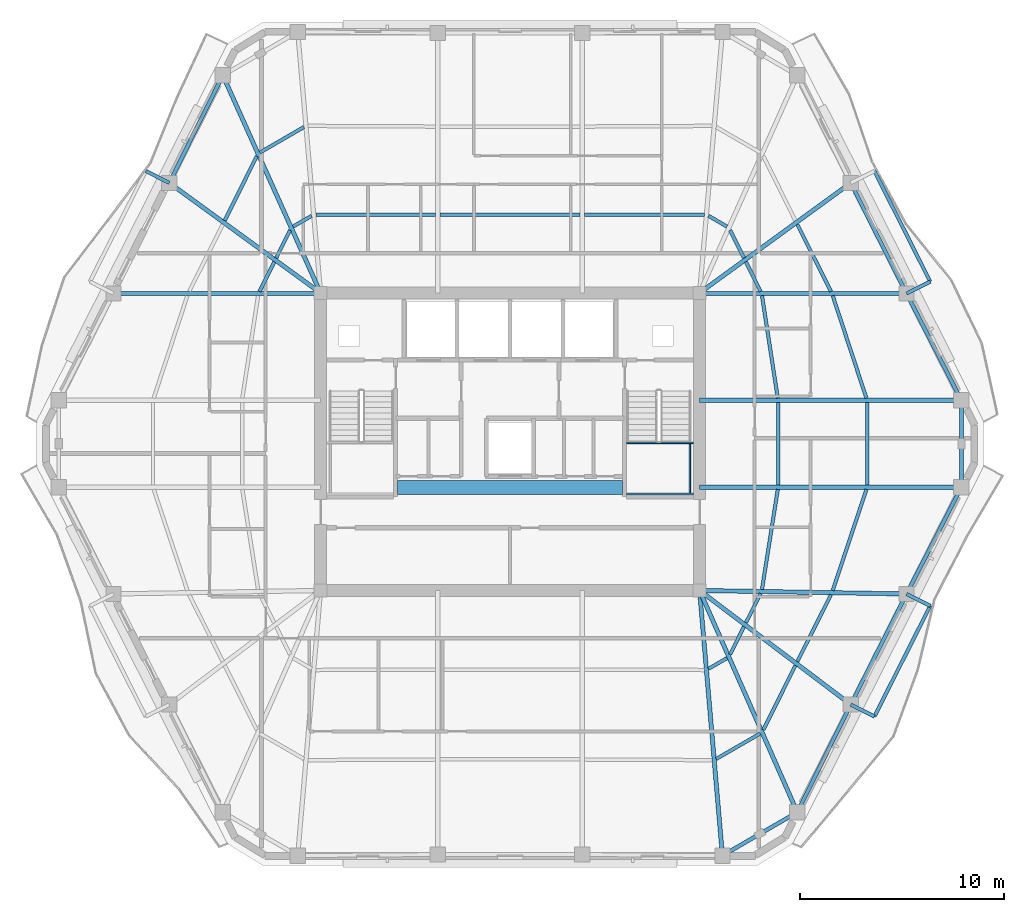
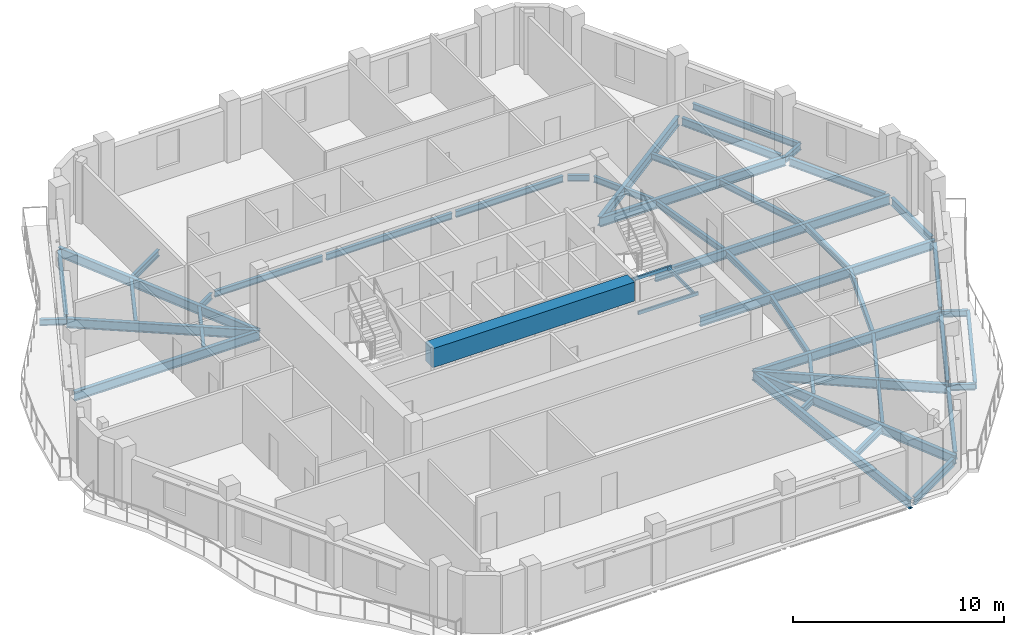
# One storey, part 2 of 11: 53 beams.
"""IFC4 building model written with IfcOpenShell, lengths in metres."""

from ifc_helpers import new_model, si_unit, direction, frame, origin, origin_2d, place, context, subcontext, project, spatial, rectangle, hollow_rectangle, i_section, extrude, material, material_profile, profile_set, type_object, element, save


model = new_model("IFC4")

# Units and contexts
model_context = context("Model", 3, precision=1e-05, world=origin(), true_north=direction((0.0, 1.0)))
body_context = subcontext(model_context, "Body", "Model", "MODEL_VIEW")
ifc_project = project(units=[si_unit("LENGTHUNIT", "METRE"), si_unit("AREAUNIT", "SQUARE_METRE"), si_unit("VOLUMEUNIT", "CUBIC_METRE"), si_unit("PLANEANGLEUNIT", "RADIAN"), si_unit("MASSUNIT", "GRAM", prefix="KILO")], contexts=[model_context])

# Site, building, storey
site_placement = place(None, origin())
site = spatial("IfcSite", under=ifc_project, at=site_placement, CompositionType="ELEMENT")
building_placement = place(site_placement, origin())
building = spatial("IfcBuilding", under=site, at=building_placement, Name="Cinnabar Lancet Tower", CompositionType="ELEMENT")
storey_placement = place(building_placement, frame((0.0, 0.0, 214.5)))
storey = spatial("IfcBuildingStorey", under=building, at=storey_placement, Name="L57", CompositionType="ELEMENT", Elevation=214.5)

# Beams
ifc_material_1 = material(Name="Concrete C70/85", Category="concrete")
ifc_material_profile_1 = material_profile(ifc_material_1, rectangle(XDim=0.699951171875, YDim=1.10009765625, at=origin_2d()), Name="RC-CB 700x1100")
ifc_profile_set_1 = profile_set([ifc_material_profile_1], Name="Concrete C70/85")
beam_type_1 = type_object("IfcBeamType", Name="STR-BM-CB-1100", PredefinedType="BEAM", material=ifc_profile_set_1)
beam_1_placement = place(storey_placement, frame((26.8798828125, 23.64990234375, 2.800048828125), z_axis=(1.0, 0.0, 0.0), x_axis=(0.0, 1.0, 0.0)))
element("IfcBeam", 1, at=beam_1_placement, inside=storey, type_object=beam_type_1, Name="L57 Core Coupling Beam", PredefinedType="BEAM", context=body_context, shape_type="SweptSolid", body=[
    extrude(rectangle(XDim=0.699951171875, YDim=1.10009765625, at=origin_2d()), origin(), (0.0, 0.0, 1.0), 11.0400390625),
])
ifc_material_2 = material(Name="Structural steel S355", Category="steel")
ifc_material_profile_2 = material_profile(ifc_material_2, i_section(OverallWidth=0.17138671875, OverallDepth=0.35498046875, WebThickness=0.00732421875, FlangeThickness=0.011474609375, FilletRadius=0.01025390625, at=origin_2d()), Name="UKB 356x171x51")
ifc_profile_set_2 = profile_set([ifc_material_profile_2], Name="Structural steel S355")
beam_type_2 = type_object("IfcBeamType", Name="STR-BM-JST-356", PredefinedType="JOIST", material=ifc_profile_set_2)
beam_2_placement = place(storey_placement, frame((42.51708984375, 10.3310546875, -0.376953125), z_axis=(0.865267839663, 0.501309849937, 0.0), x_axis=(-0.501309849937, 0.865267839663, 0.0)))
element("IfcBeam", 2, at=beam_2_placement, inside=storey, type_object=beam_type_2, Name="L57 Secondary Floor Joist 15", PredefinedType="JOIST", context=body_context, shape_type="SweptSolid", body=[
    extrude(i_section(OverallWidth=0.17138671875, OverallDepth=0.35498046875, WebThickness=0.00732421875, FlangeThickness=0.011474609375, FilletRadius=0.01025390625, at=origin_2d()), origin(), (0.0, 0.0, 1.0), 2.497314453125),
])
beam_3_placement = place(storey_placement, frame((42.135986328125, 14.7548828125, -0.376953125), z_axis=(0.8651881055, 0.501447446998, 0.0), x_axis=(-0.501447446998, 0.8651881055, 0.0)))
element("IfcBeam", 3, at=beam_3_placement, inside=storey, type_object=beam_type_2, Name="L57 Secondary Floor Joist 16", PredefinedType="JOIST", context=body_context, shape_type="SweptSolid", body=[
    extrude(i_section(OverallWidth=0.17138671875, OverallDepth=0.35498046875, WebThickness=0.00732421875, FlangeThickness=0.011474609375, FilletRadius=0.01025390625, at=origin_2d()), origin(), (0.0, 0.0, 1.0), 1.05322265625),
])
beam_4_placement = place(storey_placement, frame((44.8291015625, 11.758056640625, -0.376953125), z_axis=(0.445027906173, 0.895516701534, 0.0), x_axis=(-0.895516701534, 0.445027906173, 0.0)))
element("IfcBeam", 4, at=beam_4_placement, inside=storey, type_object=beam_type_2, Name="L57 Secondary Floor Joist 17", PredefinedType="JOIST", context=body_context, shape_type="SweptSolid", body=[
    extrude(i_section(OverallWidth=0.17138671875, OverallDepth=0.35498046875, WebThickness=0.00732421875, FlangeThickness=0.011474609375, FilletRadius=0.01025390625, at=origin_2d()), origin(), (0.0, 0.0, 1.0), 3.531982421875),
])
beam_5_placement = place(storey_placement, frame((43.198974609375, 15.45703125, -0.376953125), z_axis=(0.444589856968, 0.895734256954, 0.0), x_axis=(-0.895734256954, 0.444589856968, 0.0)))
element("IfcBeam", 5, at=beam_5_placement, inside=storey, type_object=beam_type_2, Name="L57 Secondary Floor Joist 18", PredefinedType="JOIST", context=body_context, shape_type="SweptSolid", body=[
    extrude(i_section(OverallWidth=0.17138671875, OverallDepth=0.35498046875, WebThickness=0.00732421875, FlangeThickness=0.011474609375, FilletRadius=0.01025390625, at=origin_2d()), origin(), (0.0, 0.0, 1.0), 1.527099609375),
])
beam_6_placement = place(storey_placement, frame((46.49609375, 15.112060546875, -0.376953125), z_axis=(0.450564728728, 0.892743762357, 0.0), x_axis=(-0.892743762357, 0.450564728728, 0.0)))
element("IfcBeam", 6, at=beam_6_placement, inside=storey, type_object=beam_type_2, Name="L57 Secondary Floor Joist 19", PredefinedType="JOIST", context=body_context, shape_type="SweptSolid", body=[
    extrude(i_section(OverallWidth=0.17138671875, OverallDepth=0.35498046875, WebThickness=0.00732421875, FlangeThickness=0.011474609375, FilletRadius=0.01025390625, at=origin_2d()), origin(), (0.0, 0.0, 1.0), 3.66845703125),
])
beam_7_placement = place(storey_placement, frame((43.97412109375, 17.014892578125, -0.376953125), z_axis=(0.450137936259, 0.892959035085, 0.0), x_axis=(-0.892959035085, 0.450137936259, 0.0)))
element("IfcBeam", 7, at=beam_7_placement, inside=storey, type_object=beam_type_2, Name="L57 Secondary Floor Joist 20", PredefinedType="JOIST", context=body_context, shape_type="SweptSolid", body=[
    extrude(i_section(OverallWidth=0.17138671875, OverallDepth=0.35498046875, WebThickness=0.00732421875, FlangeThickness=0.011474609375, FilletRadius=0.01025390625, at=origin_2d()), origin(), (0.0, 0.0, 1.0), 1.6015625),
])
beam_8_placement = place(storey_placement, frame((48.236083984375, 18.594970703125, -0.376953125), z_axis=(0.315346227037, 0.948976689436, 0.0), x_axis=(-0.948976689436, 0.315346227037, 0.0)))
element("IfcBeam", 8, at=beam_8_placement, inside=storey, type_object=beam_type_2, Name="L57 Secondary Floor Joist 21", PredefinedType="JOIST", context=body_context, shape_type="SweptSolid", body=[
    extrude(i_section(OverallWidth=0.17138671875, OverallDepth=0.35498046875, WebThickness=0.00732421875, FlangeThickness=0.011474609375, FilletRadius=0.01025390625, at=origin_2d()), origin(), (0.0, 0.0, 1.0), 5.235107421875),
])
beam_9_placement = place(storey_placement, frame((44.763916015625, 18.653076171875, -0.376953125), z_axis=(0.155750702097, 0.987796395416, 0.0), x_axis=(-0.987796395416, 0.155750702097, 0.0)))
element("IfcBeam", 9, at=beam_9_placement, inside=storey, type_object=beam_type_2, Name="L57 Secondary Floor Joist 22", PredefinedType="JOIST", context=body_context, shape_type="SweptSolid", body=[
    extrude(i_section(OverallWidth=0.17138671875, OverallDepth=0.35498046875, WebThickness=0.00732421875, FlangeThickness=0.011474609375, FilletRadius=0.01025390625, at=origin_2d()), origin(), (0.0, 0.0, 1.0), 4.970458984375),
])
for number, where, z_axis, x_axis, name in (
    (10, (49.922119140625, 23.77294921875, -0.376953125), (0.0, 1.0, 0.0), (-1.0, 0.0, 0.0), "L57 Secondary Floor Joist 23"),
    (11, (45.553955078125, 23.77294921875, -0.376953125), (0.0, 1.0, 0.0), (-1.0, 0.0, 0.0), "L57 Secondary Floor Joist 24"),
):
    element("IfcBeam", number, at=place(storey_placement, frame(where, z_axis=z_axis, x_axis=x_axis)), inside=storey, type_object=beam_type_2, Name=name, PredefinedType="JOIST", context=body_context, shape_type="SweptSolid", body=[
        extrude(i_section(OverallWidth=0.17138671875, OverallDepth=0.35498046875, WebThickness=0.00732421875, FlangeThickness=0.011474609375, FilletRadius=0.01025390625, at=origin_2d()), origin(), (0.0, 0.0, 1.0), 4.053955078125),
    ])
beam_10_placement = place(storey_placement, frame((49.887939453125, 28.037109375, -0.376953125), z_axis=(-0.312240109925, 0.95000321776, 0.0), x_axis=(-0.95000321776, -0.312240109925, 0.0)))
element("IfcBeam", 12, at=beam_10_placement, inside=storey, type_object=beam_type_2, Name="L57 Secondary Floor Joist 25", PredefinedType="JOIST", context=body_context, shape_type="SweptSolid", body=[
    extrude(i_section(OverallWidth=0.17138671875, OverallDepth=0.35498046875, WebThickness=0.00732421875, FlangeThickness=0.011474609375, FilletRadius=0.01025390625, at=origin_2d()), origin(), (0.0, 0.0, 1.0), 5.29345703125),
])
beam_11_placement = place(storey_placement, frame((45.5380859375, 28.037109375, -0.376953125), z_axis=(-0.152154536592, 0.98835671546, 0.0), x_axis=(-0.98835671546, -0.152154536592, 0.0)))
element("IfcBeam", 13, at=beam_11_placement, inside=storey, type_object=beam_type_2, Name="L57 Secondary Floor Joist 26", PredefinedType="JOIST", context=body_context, shape_type="SweptSolid", body=[
    extrude(i_section(OverallWidth=0.17138671875, OverallDepth=0.35498046875, WebThickness=0.00732421875, FlangeThickness=0.011474609375, FilletRadius=0.01025390625, at=origin_2d()), origin(), (0.0, 0.0, 1.0), 5.088134765625),
])
beam_12_placement = place(storey_placement, frame((48.14794921875, 33.27587890625, -0.376953125), z_axis=(-0.449230875134, 0.893415704376, 0.0), x_axis=(-0.893415704376, -0.449230875134, 0.0)))
element("IfcBeam", 14, at=beam_12_placement, inside=storey, type_object=beam_type_2, Name="L57 Secondary Floor Joist 27", PredefinedType="JOIST", context=body_context, shape_type="SweptSolid", body=[
    extrude(i_section(OverallWidth=0.17138671875, OverallDepth=0.35498046875, WebThickness=0.00732421875, FlangeThickness=0.011474609375, FilletRadius=0.01025390625, at=origin_2d()), origin(), (0.0, 0.0, 1.0), 3.677001953125),
])
beam_13_placement = place(storey_placement, frame((44.695068359375, 33.27587890625, -0.376953125), z_axis=(-0.446006949597, 0.89502949723, 0.0), x_axis=(-0.89502949723, -0.446006949597, 0.0)))
element("IfcBeam", 15, at=beam_13_placement, inside=storey, type_object=beam_type_2, Name="L57 Secondary Floor Joist 28", PredefinedType="JOIST", context=body_context, shape_type="SweptSolid", body=[
    extrude(i_section(OverallWidth=0.17138671875, OverallDepth=0.35498046875, WebThickness=0.00732421875, FlangeThickness=0.011474609375, FilletRadius=0.01025390625, at=origin_2d()), origin(), (0.0, 0.0, 1.0), 1.619140625),
])
beam_14_placement = place(storey_placement, frame((43.8779296875, 34.9150390625, -0.376953125), z_axis=(-0.444589856968, 0.895734256954, 0.0), x_axis=(-0.895734256954, -0.444589856968, 0.0)))
element("IfcBeam", 16, at=beam_14_placement, inside=storey, type_object=beam_type_2, Name="L57 Secondary Floor Joist 30", PredefinedType="JOIST", context=body_context, shape_type="SweptSolid", body=[
    extrude(i_section(OverallWidth=0.17138671875, OverallDepth=0.35498046875, WebThickness=0.00732421875, FlangeThickness=0.011474609375, FilletRadius=0.01025390625, at=origin_2d()), origin(), (0.0, 0.0, 1.0), 1.527099609375),
])
beam_15_placement = place(storey_placement, frame((43.047119140625, 36.45703125, -0.376953125), z_axis=(-0.8651881055, 0.501447446998, 0.0), x_axis=(-0.501447446998, -0.8651881055, 0.0)))
element("IfcBeam", 17, at=beam_15_placement, inside=storey, type_object=beam_type_2, Name="L57 Secondary Floor Joist 32", PredefinedType="JOIST", context=body_context, shape_type="SweptSolid", body=[
    extrude(i_section(OverallWidth=0.17138671875, OverallDepth=0.35498046875, WebThickness=0.00732421875, FlangeThickness=0.011474609375, FilletRadius=0.01025390625, at=origin_2d()), origin(), (0.0, 0.0, 1.0), 1.05322265625),
])
beam_16_placement = place(storey_placement, frame((41.930908203125, 37.04296875, -0.376953125), z_axis=(-0.999996795667, -0.002531532393, 0.0), x_axis=(0.002531532393, -0.999996795667, 0.0)))
element("IfcBeam", 18, at=beam_16_placement, inside=storey, type_object=beam_type_2, Name="L57 Secondary Floor Joist 34", PredefinedType="JOIST", context=body_context, shape_type="SweptSolid", body=[
    extrude(i_section(OverallWidth=0.17138671875, OverallDepth=0.35498046875, WebThickness=0.00732421875, FlangeThickness=0.011474609375, FilletRadius=0.01025390625, at=origin_2d()), origin(), (0.0, 0.0, 1.0), 5.8828125),
])
beam_17_placement = place(storey_placement, frame((35.837890625, 37.027099609375, -0.376953125), z_axis=(-1.0, 0.0, 0.0), x_axis=(0.0, -1.0, 0.0)))
element("IfcBeam", 19, at=beam_17_placement, inside=storey, type_object=beam_type_2, Name="L57 Secondary Floor Joist 36", PredefinedType="JOIST", context=body_context, shape_type="SweptSolid", body=[
    extrude(i_section(OverallWidth=0.17138671875, OverallDepth=0.35498046875, WebThickness=0.00732421875, FlangeThickness=0.011474609375, FilletRadius=0.01025390625, at=origin_2d()), origin(), (0.0, 0.0, 1.0), 6.8759765625),
])
beam_18_placement = place(storey_placement, frame((28.751953125, 37.028076171875, -0.376953125), z_axis=(-0.999996795933, 0.002531427338, 0.0), x_axis=(-0.002531427338, -0.999996795933, 0.0)))
element("IfcBeam", 20, at=beam_18_placement, inside=storey, type_object=beam_type_2, Name="L57 Secondary Floor Joist 38", PredefinedType="JOIST", context=body_context, shape_type="SweptSolid", body=[
    extrude(i_section(OverallWidth=0.17138671875, OverallDepth=0.35498046875, WebThickness=0.00732421875, FlangeThickness=0.011474609375, FilletRadius=0.01025390625, at=origin_2d()), origin(), (0.0, 0.0, 1.0), 5.883056640625),
])
beam_19_placement = place(storey_placement, frame((22.282958984375, 41.341064453125, -0.376953125), z_axis=(-0.865267839663, -0.501309849937, 0.0), x_axis=(0.501309849937, -0.865267839663, 0.0)))
element("IfcBeam", 21, at=beam_19_placement, inside=storey, type_object=beam_type_2, Name="L57 Secondary Floor Joist 39", PredefinedType="JOIST", context=body_context, shape_type="SweptSolid", body=[
    extrude(i_section(OverallWidth=0.17138671875, OverallDepth=0.35498046875, WebThickness=0.00732421875, FlangeThickness=0.011474609375, FilletRadius=0.01025390625, at=origin_2d()), origin(), (0.0, 0.0, 1.0), 2.497314453125),
])
beam_20_placement = place(storey_placement, frame((22.6640625, 36.985107421875, -0.376953125), z_axis=(-0.8651881055, -0.501447446998, 0.0), x_axis=(0.501447446998, -0.8651881055, 0.0)))
element("IfcBeam", 22, at=beam_20_placement, inside=storey, type_object=beam_type_2, Name="L57 Secondary Floor Joist 40", PredefinedType="JOIST", context=body_context, shape_type="SweptSolid", body=[
    extrude(i_section(OverallWidth=0.17138671875, OverallDepth=0.35498046875, WebThickness=0.00732421875, FlangeThickness=0.011474609375, FilletRadius=0.01025390625, at=origin_2d()), origin(), (0.0, 0.0, 1.0), 1.05322265625),
])
beam_21_placement = place(storey_placement, frame((19.970947265625, 39.9150390625, -0.376953125), z_axis=(-0.444835507887, -0.895612288283, 0.0), x_axis=(0.895612288283, -0.444835507887, 0.0)))
element("IfcBeam", 23, at=beam_21_placement, inside=storey, type_object=beam_type_2, Name="L57 Secondary Floor Joist 41", PredefinedType="JOIST", context=body_context, shape_type="SweptSolid", body=[
    extrude(i_section(OverallWidth=0.17138671875, OverallDepth=0.35498046875, WebThickness=0.00732421875, FlangeThickness=0.011474609375, FilletRadius=0.01025390625, at=origin_2d()), origin(), (0.0, 0.0, 1.0), 3.533935546875),
])
beam_22_placement = place(storey_placement, frame((21.60107421875, 36.282958984375, -0.376953125), z_axis=(-0.444589856968, -0.895734256954, 0.0), x_axis=(0.895734256954, -0.444589856968, 0.0)))
element("IfcBeam", 24, at=beam_22_placement, inside=storey, type_object=beam_type_2, Name="L57 Secondary Floor Joist 42", PredefinedType="JOIST", context=body_context, shape_type="SweptSolid", body=[
    extrude(i_section(OverallWidth=0.17138671875, OverallDepth=0.35498046875, WebThickness=0.00732421875, FlangeThickness=0.011474609375, FilletRadius=0.01025390625, at=origin_2d()), origin(), (0.0, 0.0, 1.0), 1.527099609375),
])
beam_23_placement = place(storey_placement, frame((20.826904296875, 34.72509765625, -0.376953125), z_axis=(-0.44588615098, -0.895089682861, 0.0), x_axis=(0.895089682861, -0.44588615098, 0.0)))
element("IfcBeam", 25, at=beam_23_placement, inside=storey, type_object=beam_type_2, Name="L57 Secondary Floor Joist 44", PredefinedType="JOIST", context=body_context, shape_type="SweptSolid", body=[
    extrude(i_section(OverallWidth=0.17138671875, OverallDepth=0.35498046875, WebThickness=0.00732421875, FlangeThickness=0.011474609375, FilletRadius=0.01025390625, at=origin_2d()), origin(), (0.0, 0.0, 1.0), 1.619140625),
])
ifc_material_3 = material(Name="Structural steel S355", Category="steel")
ifc_material_profile_3 = material_profile(ifc_material_3, hollow_rectangle(XDim=0.10009765625, YDim=0.199951171875, WallThickness=0.008056640625, InnerFilletRadius=0.00390625, OuterFilletRadius=0.011962890625, at=origin_2d()), Name="RHS 200x100x8")
ifc_profile_set_3 = profile_set([ifc_material_profile_3], Name="Structural steel S355")
beam_type_3 = type_object("IfcBeamType", Name="STR-BM-LND-203", PredefinedType="BEAM", material=ifc_profile_set_3)
for number, where, z_axis, x_axis, name in (
    (26, (38.1201171875, 23.330078125, 1.47509765625), (1.0, 0.0, 0.0), (0.0, 1.0, 0.0), "L57 ST-2-L57 Landing Support Beam S"),
    (27, (38.1201171875, 25.844970703125, 1.47509765625), (1.0, 0.0, 0.0), (0.0, 1.0, 0.0), "L57 ST-2-L57 Landing Support Beam N"),
):
    element("IfcBeam", number, at=place(storey_placement, frame(where, z_axis=z_axis, x_axis=x_axis)), inside=storey, type_object=beam_type_3, Name=name, PredefinedType="BEAM", context=body_context, shape_type="SweptSolid", body=[
        extrude(hollow_rectangle(XDim=0.10009765625, YDim=0.199951171875, WallThickness=0.008056640625, InnerFilletRadius=0.00390625, OuterFilletRadius=0.011962890625, at=origin_2d()), origin(), (0.0, 0.0, 1.0), 3.27978515625),
    ])
beam_24_placement = place(storey_placement, frame((41.219970703125, 23.3798828125, 1.47509765625), z_axis=(0.0, 1.0, 0.0), x_axis=(-1.0, 0.0, 0.0)))
element("IfcBeam", 28, at=beam_24_placement, inside=storey, type_object=beam_type_3, Name="L57 ST-2-L57 Landing Side Trimmer Beam", PredefinedType="BEAM", context=body_context, shape_type="SweptSolid", body=[
    extrude(hollow_rectangle(XDim=0.10009765625, YDim=0.199951171875, WallThickness=0.008056640625, InnerFilletRadius=0.00390625, OuterFilletRadius=0.011962890625, at=origin_2d()), origin(), (0.0, 0.0, 1.0), 2.4150390625),
])
ifc_material_4 = material(Name="Structural steel S355", Category="steel")
ifc_material_profile_4 = material_profile(ifc_material_4, i_section(OverallWidth=0.1904296875, OverallDepth=0.45703125, WebThickness=0.009033203125, FlangeThickness=0.014404296875, FilletRadius=0.01025390625, at=origin_2d()), Name="UKB 457x191x74")
ifc_profile_set_4 = profile_set([ifc_material_profile_4], Name="Structural steel S355")
beam_type_4 = type_object("IfcBeamType", Name="STR-BM-SPN-457", PredefinedType="SPANDREL", material=ifc_profile_set_4)
beam_25_placement = place(storey_placement, frame((43.037109375, 5.714111328125, -0.427978515625), z_axis=(0.865195717586, 0.501434313016, 0.0), x_axis=(-0.501434313016, 0.865195717586, 0.0)))
element("IfcBeam", 29, at=beam_25_placement, inside=storey, type_object=beam_type_4, Name="L57 Perimeter Spandrel 4", PredefinedType="SPANDREL", context=body_context, shape_type="SweptSolid", body=[
    extrude(i_section(OverallWidth=0.1904296875, OverallDepth=0.45703125, WebThickness=0.009033203125, FlangeThickness=0.014404296875, FilletRadius=0.01025390625, at=origin_2d()), origin(), (0.0, 0.0, 1.0), 3.7470703125),
])
beam_26_placement = place(storey_placement, frame((46.60595703125, 7.94189453125, -0.427978515625), z_axis=(0.444914968367, 0.895572817208, 0.0), x_axis=(-0.895572817208, 0.444914968367, 0.0)))
element("IfcBeam", 30, at=beam_26_placement, inside=storey, type_object=beam_type_4, Name="L57 Perimeter Spandrel 5", PredefinedType="SPANDREL", context=body_context, shape_type="SweptSolid", body=[
    extrude(i_section(OverallWidth=0.1904296875, OverallDepth=0.45703125, WebThickness=0.009033203125, FlangeThickness=0.014404296875, FilletRadius=0.01025390625, at=origin_2d()), origin(), (0.0, 0.0, 1.0), 5.39892578125),
])
beam_27_placement = place(storey_placement, frame((49.23193359375, 13.22412109375, -0.427978515625), z_axis=(0.450395996562, 0.892828900899, 0.0), x_axis=(-0.892828900899, 0.450395996562, 0.0)))
element("IfcBeam", 31, at=beam_27_placement, inside=storey, type_object=beam_type_4, Name="L57 Perimeter Spandrel 6", PredefinedType="SPANDREL", context=body_context, shape_type="SweptSolid", body=[
    extrude(i_section(OverallWidth=0.1904296875, OverallDepth=0.45703125, WebThickness=0.009033203125, FlangeThickness=0.014404296875, FilletRadius=0.01025390625, at=origin_2d()), origin(), (0.0, 0.0, 1.0), 5.579833984375),
])
beam_28_placement = place(storey_placement, frame((51.971923828125, 18.65087890625, -0.427978515625), z_axis=(0.456628362232, 0.889657540184, 0.0), x_axis=(-0.889657540184, 0.456628362232, 0.0)))
element("IfcBeam", 32, at=beam_28_placement, inside=storey, type_object=beam_type_4, Name="L57 Perimeter Spandrel 7", PredefinedType="SPANDREL", context=body_context, shape_type="SweptSolid", body=[
    extrude(i_section(OverallWidth=0.1904296875, OverallDepth=0.45703125, WebThickness=0.009033203125, FlangeThickness=0.014404296875, FilletRadius=0.01025390625, at=origin_2d()), origin(), (0.0, 0.0, 1.0), 5.389892578125),
])
beam_29_placement = place(storey_placement, frame((54.547119140625, 23.91796875, -0.427978515625), z_axis=(0.0, 1.0, 0.0), x_axis=(-1.0, 0.0, 0.0)))
element("IfcBeam", 33, at=beam_29_placement, inside=storey, type_object=beam_type_4, Name="L57 Perimeter Spandrel 8", PredefinedType="SPANDREL", context=body_context, shape_type="SweptSolid", body=[
    extrude(i_section(OverallWidth=0.1904296875, OverallDepth=0.45703125, WebThickness=0.009033203125, FlangeThickness=0.014404296875, FilletRadius=0.01025390625, at=origin_2d()), origin(), (0.0, 0.0, 1.0), 3.763916015625),
])
beam_30_placement = place(storey_placement, frame((54.43310546875, 28.154052734375, -0.427978515625), z_axis=(-0.456646764028, 0.889648094981, 0.0), x_axis=(-0.889648094981, -0.456646764028, 0.0)))
element("IfcBeam", 34, at=beam_30_placement, inside=storey, type_object=beam_type_4, Name="L57 Perimeter Spandrel 9", PredefinedType="SPANDREL", context=body_context, shape_type="SweptSolid", body=[
    extrude(i_section(OverallWidth=0.1904296875, OverallDepth=0.45703125, WebThickness=0.009033203125, FlangeThickness=0.014404296875, FilletRadius=0.01025390625, at=origin_2d()), origin(), (0.0, 0.0, 1.0), 5.3896484375),
])
beam_31_placement = place(storey_placement, frame((51.7451171875, 33.39404296875, -0.427978515625), z_axis=(-0.450395996562, 0.892828900899, 0.0), x_axis=(-0.892828900899, -0.450395996562, 0.0)))
element("IfcBeam", 35, at=beam_31_placement, inside=storey, type_object=beam_type_4, Name="L57 Perimeter Spandrel 10", PredefinedType="SPANDREL", context=body_context, shape_type="SweptSolid", body=[
    extrude(i_section(OverallWidth=0.1904296875, OverallDepth=0.45703125, WebThickness=0.009033203125, FlangeThickness=0.014404296875, FilletRadius=0.01025390625, at=origin_2d()), origin(), (0.0, 0.0, 1.0), 5.579833984375),
])
beam_32_placement = place(storey_placement, frame((18.194091796875, 43.657958984375, -0.427978515625), z_axis=(-0.444932986899, -0.895563865489, 0.0), x_axis=(0.895563865489, -0.444932986899, 0.0)))
element("IfcBeam", 36, at=beam_32_placement, inside=storey, type_object=beam_type_4, Name="L57 Perimeter Spandrel 17", PredefinedType="SPANDREL", context=body_context, shape_type="SweptSolid", body=[
    extrude(i_section(OverallWidth=0.1904296875, OverallDepth=0.45703125, WebThickness=0.009033203125, FlangeThickness=0.014404296875, FilletRadius=0.01025390625, at=origin_2d()), origin(), (0.0, 0.0, 1.0), 5.398681640625),
])
ifc_material_5 = material(Name="Structural steel S355", Category="steel")
ifc_material_profile_5 = material_profile(ifc_material_5, i_section(OverallWidth=0.209228515625, OverallDepth=0.533203125, WebThickness=0.010009765625, FlangeThickness=0.015625, FilletRadius=0.0126953125, at=origin_2d()), Name="UKB 533x210x92")
ifc_profile_set_5 = profile_set([ifc_material_profile_5], Name="Structural steel S355")
beam_type_5 = type_object("IfcBeamType", Name="STR-BM-UKB533-92", PredefinedType="BEAM", material=ifc_profile_set_5)
beam_33_placement = place(storey_placement, frame((49.118896484375, 13.0009765625, -0.467041015625), z_axis=(-0.798193439732, 0.602401222417, 0.0), x_axis=(-0.602401222417, -0.798193439732, 0.0)))
element("IfcBeam", 37, at=beam_33_placement, inside=storey, type_object=beam_type_5, Name="L57 Corner Collector Girder 2", PredefinedType="BEAM", context=body_context, shape_type="SweptSolid", body=[
    extrude(i_section(OverallWidth=0.209228515625, OverallDepth=0.533203125, WebThickness=0.010009765625, FlangeThickness=0.015625, FilletRadius=0.0126953125, at=origin_2d()), origin(), (0.0, 0.0, 1.0), 9.294677734375),
])
beam_34_placement = place(storey_placement, frame((49.118896484375, 38.59912109375, -0.467041015625), z_axis=(-0.808550797984, -0.588426382039, 0.0), x_axis=(0.588426382039, -0.808550797984, 0.0)))
element("IfcBeam", 38, at=beam_34_placement, inside=storey, type_object=beam_type_5, Name="L57 Corner Collector Girder 3", PredefinedType="BEAM", context=body_context, shape_type="SweptSolid", body=[
    extrude(i_section(OverallWidth=0.209228515625, OverallDepth=0.533203125, WebThickness=0.010009765625, FlangeThickness=0.015625, FilletRadius=0.0126953125, at=origin_2d()), origin(), (0.0, 0.0, 1.0), 9.175537109375),
])
beam_35_placement = place(storey_placement, frame((15.680908203125, 38.59912109375, -0.467041015625), z_axis=(0.80856001044, -0.588413723087, 0.0), x_axis=(0.588413723087, 0.80856001044, 0.0)))
element("IfcBeam", 39, at=beam_35_placement, inside=storey, type_object=beam_type_5, Name="L57 Corner Collector Girder 4", PredefinedType="BEAM", context=body_context, shape_type="SweptSolid", body=[
    extrude(i_section(OverallWidth=0.209228515625, OverallDepth=0.533203125, WebThickness=0.010009765625, FlangeThickness=0.015625, FilletRadius=0.0126953125, at=origin_2d()), origin(), (0.0, 0.0, 1.0), 9.17578125),
])
beam_36_placement = place(storey_placement, frame((42.821044921875, 5.589111328125, -0.467041015625), z_axis=(-0.085847068729, 0.996308326167, 0.0), x_axis=(-0.996308326167, -0.085847068729, 0.0)))
element("IfcBeam", 40, at=beam_36_placement, inside=storey, type_object=beam_type_5, Name="L57 Primary Floor Girder 4", PredefinedType="BEAM", context=body_context, shape_type="SweptSolid", body=[
    extrude(i_section(OverallWidth=0.209228515625, OverallDepth=0.533203125, WebThickness=0.010009765625, FlangeThickness=0.015625, FilletRadius=0.0126953125, at=origin_2d()), origin(), (0.0, 0.0, 1.0), 13.05908203125),
])
beam_37_placement = place(storey_placement, frame((46.4951171875, 7.718017578125, -0.467041015625), z_axis=(-0.403235299754, 0.915096329919, 0.0), x_axis=(-0.915096329919, -0.403235299754, 0.0)))
element("IfcBeam", 41, at=beam_37_placement, inside=storey, type_object=beam_type_5, Name="L57 Primary Floor Girder 5", PredefinedType="BEAM", context=body_context, shape_type="SweptSolid", body=[
    extrude(i_section(OverallWidth=0.209228515625, OverallDepth=0.533203125, WebThickness=0.010009765625, FlangeThickness=0.015625, FilletRadius=0.0126953125, at=origin_2d()), origin(), (0.0, 0.0, 1.0), 11.891845703125),
])
beam_38_placement = place(storey_placement, frame((51.85791015625, 18.428955078125, -0.467041015625), z_axis=(-0.999858100525, 0.016845735777, 0.0), x_axis=(-0.016845735777, -0.999858100525, 0.0)))
element("IfcBeam", 42, at=beam_38_placement, inside=storey, type_object=beam_type_5, Name="L57 Primary Floor Girder 7", PredefinedType="BEAM", context=body_context, shape_type="SweptSolid", body=[
    extrude(i_section(OverallWidth=0.209228515625, OverallDepth=0.533203125, WebThickness=0.010009765625, FlangeThickness=0.015625, FilletRadius=0.0126953125, at=origin_2d()), origin(), (0.0, 0.0, 1.0), 10.159423828125),
])
for number, where, z_axis, x_axis, name in (
    (43, (54.547119140625, 23.66796875, -0.467041015625), (-1.0, 0.0, 0.0), (0.0, -1.0, 0.0), "L57 Primary Floor Girder 8"),
    (44, (54.547119140625, 27.931884765625, -0.467041015625), (-1.0, 0.0, 0.0), (0.0, -1.0, 0.0), "L57 Primary Floor Girder 9"),
):
    element("IfcBeam", number, at=place(storey_placement, frame(where, z_axis=z_axis, x_axis=x_axis)), inside=storey, type_object=beam_type_5, Name=name, PredefinedType="BEAM", context=body_context, shape_type="SweptSolid", body=[
        extrude(i_section(OverallWidth=0.209228515625, OverallDepth=0.533203125, WebThickness=0.010009765625, FlangeThickness=0.015625, FilletRadius=0.0126953125, at=origin_2d()), origin(), (0.0, 0.0, 1.0), 12.84716796875),
    ])
beam_39_placement = place(storey_placement, frame((51.85791015625, 33.1708984375, -0.467041015625), z_axis=(-1.0, 0.0, 0.0), x_axis=(0.0, -1.0, 0.0)))
element("IfcBeam", 45, at=beam_39_placement, inside=storey, type_object=beam_type_5, Name="L57 Primary Floor Girder 10", PredefinedType="BEAM", context=body_context, shape_type="SweptSolid", body=[
    extrude(i_section(OverallWidth=0.209228515625, OverallDepth=0.533203125, WebThickness=0.010009765625, FlangeThickness=0.015625, FilletRadius=0.0126953125, at=origin_2d()), origin(), (0.0, 0.0, 1.0), 10.157958984375),
])
beam_40_placement = place(storey_placement, frame((18.304931640625, 43.882080078125, -0.467041015625), z_axis=(0.409527011626, -0.912297992297, 0.0), x_axis=(0.912297992297, 0.409527011626, 0.0)))
element("IfcBeam", 46, at=beam_40_placement, inside=storey, type_object=beam_type_5, Name="L57 Primary Floor Girder 17", PredefinedType="BEAM", context=body_context, shape_type="SweptSolid", body=[
    extrude(i_section(OverallWidth=0.209228515625, OverallDepth=0.533203125, WebThickness=0.010009765625, FlangeThickness=0.015625, FilletRadius=0.0126953125, at=origin_2d()), origin(), (0.0, 0.0, 1.0), 11.708984375),
])
beam_41_placement = place(storey_placement, frame((12.94189453125, 33.1708984375, -0.467041015625), z_axis=(1.0, 0.0, 0.0), x_axis=(0.0, 1.0, 0.0)))
element("IfcBeam", 47, at=beam_41_placement, inside=storey, type_object=beam_type_5, Name="L57 Primary Floor Girder 19", PredefinedType="BEAM", context=body_context, shape_type="SweptSolid", body=[
    extrude(i_section(OverallWidth=0.209228515625, OverallDepth=0.533203125, WebThickness=0.010009765625, FlangeThickness=0.015625, FilletRadius=0.0126953125, at=origin_2d()), origin(), (0.0, 0.0, 1.0), 10.158203125),
])
ifc_material_6 = material(Name="Structural steel S355", Category="steel")
ifc_material_profile_6 = material_profile(ifc_material_6, i_section(OverallWidth=0.17138671875, OverallDepth=0.35498046875, WebThickness=0.00732421875, FlangeThickness=0.011474609375, FilletRadius=0.01025390625, at=origin_2d()), Name="UKB 356x171x51")
ifc_profile_set_6 = profile_set([ifc_material_profile_6], Name="Structural steel S355")
beam_type_6 = type_object("IfcBeamType", Name="STR-BM-WAV-OUT", PredefinedType="BEAM", material=ifc_profile_set_6)
for number, where, z_axis, x_axis, name in (
    (48, (49.118896484375, 13.0009765625, -0.39794921875), (0.892314203325, -0.451414845285, 0.0), (0.451414845285, 0.892314203325, 0.0), "L57 Face 2 Balcony Outlooker A"),
    (49, (51.85791015625, 18.428955078125, -0.39794921875), (0.892314203325, -0.451414845285, 0.0), (0.451414845285, 0.892314203325, 0.0), "L57 Face 2 Balcony Outlooker B"),
):
    element("IfcBeam", number, at=place(storey_placement, frame(where, z_axis=z_axis, x_axis=x_axis)), inside=storey, type_object=beam_type_6, Name=name, PredefinedType="BEAM", context=body_context, shape_type="SweptSolid", body=[
        extrude(i_section(OverallWidth=0.17138671875, OverallDepth=0.35498046875, WebThickness=0.00732421875, FlangeThickness=0.011474609375, FilletRadius=0.01025390625, at=origin_2d()), origin(), (0.0, 0.0, 1.0), 1.300048828125),
    ])
beam_42_placement = place(storey_placement, frame((51.85791015625, 33.1708984375, -0.39794921875), z_axis=(0.892238560088, 0.451564338597, 0.0), x_axis=(-0.451564338597, 0.892238560088, 0.0)))
element("IfcBeam", 50, at=beam_42_placement, inside=storey, type_object=beam_type_6, Name="L57 Face 3 Balcony Outlooker A", PredefinedType="BEAM", context=body_context, shape_type="SweptSolid", body=[
    extrude(i_section(OverallWidth=0.17138671875, OverallDepth=0.35498046875, WebThickness=0.00732421875, FlangeThickness=0.011474609375, FilletRadius=0.01025390625, at=origin_2d()), origin(), (0.0, 0.0, 1.0), 1.30029296875),
])
beam_43_placement = place(storey_placement, frame((15.680908203125, 38.59912109375, -0.39794921875), z_axis=(-0.89227592947, 0.451490493464, 0.0), x_axis=(-0.451490493464, -0.89227592947, 0.0)))
element("IfcBeam", 51, at=beam_43_placement, inside=storey, type_object=beam_type_6, Name="L57 Face 5 Balcony Outlooker A", PredefinedType="BEAM", context=body_context, shape_type="SweptSolid", body=[
    extrude(i_section(OverallWidth=0.17138671875, OverallDepth=0.35498046875, WebThickness=0.00732421875, FlangeThickness=0.011474609375, FilletRadius=0.01025390625, at=origin_2d()), origin(), (0.0, 0.0, 1.0), 1.300048828125),
])
ifc_material_7 = material(Name="Structural steel S355", Category="steel")
ifc_material_profile_7 = material_profile(ifc_material_7, i_section(OverallWidth=0.17138671875, OverallDepth=0.35498046875, WebThickness=0.00732421875, FlangeThickness=0.011474609375, FilletRadius=0.01025390625, at=origin_2d()), Name="UKB 356x171x51")
ifc_profile_set_7 = profile_set([ifc_material_profile_7], Name="Structural steel S355")
beam_type_7 = type_object("IfcBeamType", Name="STR-BM-WAV-TRIM", PredefinedType="SPANDREL", material=ifc_profile_set_7)
for number, where, z_axis, x_axis, name in (
    (52, (50.279052734375, 12.4140625, -0.39794921875), (0.450503306898, 0.892774759093, 0.0), (-0.892774759093, 0.450503306898, 0.0), "L57 Face 2 Balcony Edge Trimmer"),
    (53, (53.01806640625, 33.758056640625, -0.39794921875), (-0.450503306898, 0.892774759093, 0.0), (-0.892774759093, -0.450503306898, 0.0), "L57 Face 3 Balcony Edge Trimmer"),
):
    element("IfcBeam", number, at=place(storey_placement, frame(where, z_axis=z_axis, x_axis=x_axis)), inside=storey, type_object=beam_type_7, Name=name, PredefinedType="SPANDREL", context=body_context, shape_type="SweptSolid", body=[
        extrude(i_section(OverallWidth=0.17138671875, OverallDepth=0.35498046875, WebThickness=0.00732421875, FlangeThickness=0.011474609375, FilletRadius=0.01025390625, at=origin_2d()), origin(), (0.0, 0.0, 1.0), 6.079833984375),
    ])

save(model, "model.ifc")
